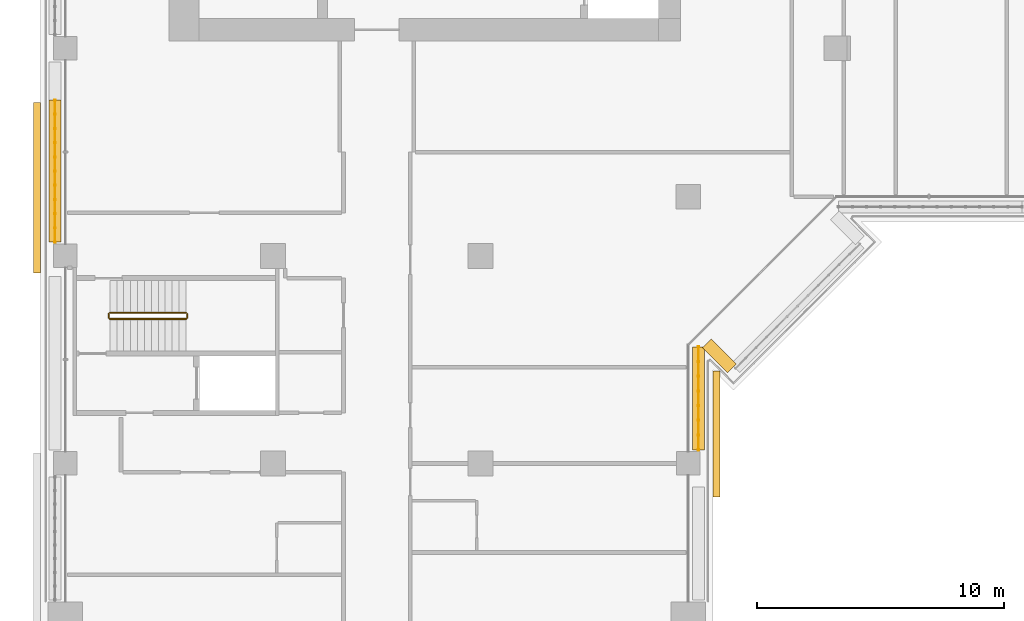
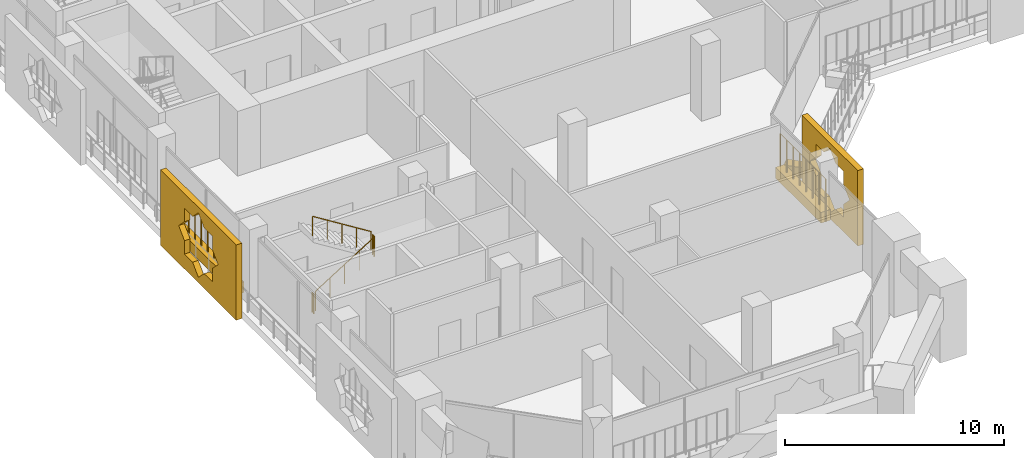
# One storey, part 17 of 23: 6 railings, 5 coverings.
"""IFC4 building model written with IfcOpenShell, lengths in metres."""

from ifc_helpers import new_model, si_unit, direction, frame, origin, origin_2d, place, context, subcontext, project, spatial, polyline, rectangle, circle, outline, extrude, material, material_profile, profile_set, type_object, element, save


model = new_model("IFC4")

# Units and contexts
model_context = context("Model", 3, precision=1e-05, world=origin(), true_north=direction((0.0, 1.0)))
body_context = subcontext(model_context, "Body", "Model", "MODEL_VIEW")
ifc_project = project(units=[si_unit("LENGTHUNIT", "METRE"), si_unit("AREAUNIT", "SQUARE_METRE"), si_unit("VOLUMEUNIT", "CUBIC_METRE"), si_unit("PLANEANGLEUNIT", "RADIAN"), si_unit("MASSUNIT", "GRAM", prefix="KILO")], contexts=[model_context])

# Site, building, storey
site_placement = place(None, origin())
site = spatial("IfcSite", under=ifc_project, at=site_placement, CompositionType="ELEMENT")
building_placement = place(site_placement, origin())
building = spatial("IfcBuilding", under=site, at=building_placement, Name="Kawkab Arch Medical Tower", CompositionType="ELEMENT")
storey_placement = place(building_placement, frame((0.0, 0.0, 175.199951171875)))
storey = spatial("IfcBuildingStorey", under=building, at=storey_placement, Name="L40", CompositionType="ELEMENT", Elevation=175.199951171875)

# Coverings
ifc_material_1 = material(Name="Bronze anodised aluminium mashrabiya panel, eight-point star pattern", Category="aluminium")
ifc_material_profile_1 = material_profile(ifc_material_1, outline(polyline([(-2.550048828125, -2.10009765625), (2.550048828125, -2.10009765625), (2.550048828125, 2.10009765625), (-2.550048828125, 2.10009765625), (-2.550048828125, -2.10009765625)]), holes=[polyline([(1.800048828125, 0.0), (1.272705078125, 0.527099609375), (1.272705078125, 1.272705078125), (0.527099609375, 1.272705078125), (0.0, 1.800048828125), (-0.527099609375, 1.272705078125), (-1.272705078125, 1.272705078125), (-1.272705078125, 0.527099609375), (-1.800048828125, 0.0), (-1.272705078125, -0.527099609375), (-1.272705078125, -1.272705078125), (-0.527099609375, -1.272705078125), (0.0, -1.800048828125), (0.527099609375, -1.272705078125), (1.272705078125, -1.272705078125), (1.272705078125, -0.527099609375), (1.800048828125, 0.0)])]), Name="Mashrabiya panel 5100x4200")
ifc_profile_set_1 = profile_set([ifc_material_profile_1], Name="Bronze anodised aluminium mashrabiya panel, eight-point star pattern")
covering_type_1 = type_object("IfcCoveringType", Name="Mashrabiya panel 5100 x 4200", PredefinedType="USERDEFINED", material=ifc_profile_set_1)
covering_1_placement = place(storey_placement, frame((26.199951171875, -40.807373046875, 1.699951171875), z_axis=(1.0, 0.0, 0.0), x_axis=(0.0, 1.0, 0.0)))
element("IfcCovering", 1, at=covering_1_placement, inside=storey, type_object=covering_type_1, Name="Mashrabiya panel L40.LOG-01-01.12", ObjectType="SCREEN", PredefinedType="USERDEFINED", context=body_context, shape_type="SweptSolid", body=[
    extrude(outline(polyline([(-2.550048828125, -2.10009765625), (2.550048828125, -2.10009765625), (2.550048828125, 2.10009765625), (-2.550048828125, 2.10009765625), (-2.550048828125, -2.10009765625)]), holes=[polyline([(1.800048828125, 0.0), (1.272705078125, 0.527099609375), (1.272705078125, 1.272705078125), (0.527099609375, 1.272705078125), (0.0, 1.800048828125), (-0.527099609375, 1.272705078125), (-1.272705078125, 1.272705078125), (-1.272705078125, 0.527099609375), (-1.800048828125, 0.0), (-1.272705078125, -0.527099609375), (-1.272705078125, -1.272705078125), (-0.527099609375, -1.272705078125), (0.0, -1.800048828125), (0.527099609375, -1.272705078125), (1.272705078125, -1.272705078125), (1.272705078125, -0.527099609375), (1.800048828125, 0.0)])]), origin(), (0.0, 0.0, 1.0), 0.300048828125),
])
ifc_material_2 = material(Name="Bronze anodised aluminium mashrabiya panel, eight-point star pattern", Category="aluminium")
ifc_material_profile_2 = material_profile(ifc_material_2, outline(polyline([(-3.449951171875, -2.10009765625), (3.449951171875, -2.10009765625), (3.449951171875, 2.10009765625), (-3.449951171875, 2.10009765625), (-3.449951171875, -2.10009765625)]), holes=[polyline([(1.800048828125, 0.0), (1.272705078125, 0.527099609375), (1.272705078125, 1.272705078125), (0.527099609375, 1.272705078125), (0.0, 1.800048828125), (-0.527099609375, 1.272705078125), (-1.272705078125, 1.272705078125), (-1.272705078125, 0.527099609375), (-1.800048828125, 0.0), (-1.272705078125, -0.527099609375), (-1.272705078125, -1.272705078125), (-0.527099609375, -1.272705078125), (0.0, -1.800048828125), (0.527099609375, -1.272705078125), (1.272705078125, -1.272705078125), (1.272705078125, -0.527099609375), (1.800048828125, 0.0)])]), Name="Mashrabiya panel 6900x4200")
ifc_profile_set_2 = profile_set([ifc_material_profile_2], Name="Bronze anodised aluminium mashrabiya panel, eight-point star pattern")
covering_type_2 = type_object("IfcCoveringType", Name="Mashrabiya panel 6900 x 4200", PredefinedType="USERDEFINED", material=ifc_profile_set_2)
covering_2_placement = place(storey_placement, frame((-1.0, -30.850341796875, 1.699951171875), z_axis=(-1.0, 0.0, 0.0), x_axis=(0.0, -1.0, 0.0)))
element("IfcCovering", 2, at=covering_2_placement, inside=storey, type_object=covering_type_2, Name="Mashrabiya panel L40.LOG-01-01.3", ObjectType="SCREEN", PredefinedType="USERDEFINED", context=body_context, shape_type="SweptSolid", body=[
    extrude(outline(polyline([(-3.449951171875, -2.10009765625), (3.449951171875, -2.10009765625), (3.449951171875, 2.10009765625), (-3.449951171875, 2.10009765625), (-3.449951171875, -2.10009765625)]), holes=[polyline([(1.800048828125, 0.0), (1.272705078125, 0.527099609375), (1.272705078125, 1.272705078125), (0.527099609375, 1.272705078125), (0.0, 1.800048828125), (-0.527099609375, 1.272705078125), (-1.272705078125, 1.272705078125), (-1.272705078125, 0.527099609375), (-1.800048828125, 0.0), (-1.272705078125, -0.527099609375), (-1.272705078125, -1.272705078125), (-0.527099609375, -1.272705078125), (0.0, -1.800048828125), (0.527099609375, -1.272705078125), (1.272705078125, -1.272705078125), (1.272705078125, -0.527099609375), (1.800048828125, 0.0)])]), origin(), (0.0, 0.0, 1.0), 0.300048828125),
])
ifc_material_3 = material(Name="Planting soil in a precast trough", Category="concrete")
ifc_material_profile_3 = material_profile(ifc_material_3, rectangle(XDim=0.5, YDim=0.60009765625, at=origin_2d()), Name="Trough 500x600")
ifc_profile_set_3 = profile_set([ifc_material_profile_3], Name="Planting soil in a precast trough")
covering_type_3 = type_object("IfcCoveringType", Name="Planter trough 500 x 600", PredefinedType="USERDEFINED", material=ifc_profile_set_3)
covering_3_placement = place(storey_placement, frame((-0.419921875, -33.044921875, 0.300048828125), z_axis=(0.0, 1.0, 0.0), x_axis=(-1.0, 0.0, 0.0)))
element("IfcCovering", 3, at=covering_3_placement, inside=storey, type_object=covering_type_3, Name="Planter L40.LOG-01-01.9", ObjectType="PLANTER", PredefinedType="USERDEFINED", context=body_context, shape_type="SweptSolid", body=[
    extrude(rectangle(XDim=0.5, YDim=0.60009765625, at=origin_2d()), origin(), (0.0, 0.0, 1.0), 5.744873046875),
])
covering_4_placement = place(storey_placement, frame((26.967041015625, -38.14697265625, 0.300048828125), z_axis=(-0.707192746389, 0.707020805532, 0.0), x_axis=(-0.707020805532, -0.707192746389, 0.0)))
element("IfcCovering", 4, at=covering_4_placement, inside=storey, type_object=covering_type_3, Name="Planter L40.LOG-01-01.40", ObjectType="PLANTER", PredefinedType="USERDEFINED", context=body_context, shape_type="SweptSolid", body=[
    extrude(rectangle(XDim=0.5, YDim=0.60009765625, at=origin_2d()), origin(), (0.0, 0.0, 1.0), 1.419921875),
])
covering_5_placement = place(storey_placement, frame((25.6201171875, -37.284912109375, 0.300048828125), z_axis=(0.0, -1.0, 0.0), x_axis=(1.0, 0.0, 0.0)))
element("IfcCovering", 5, at=covering_5_placement, inside=storey, type_object=covering_type_3, Name="Planter L40.LOG-01-01.41", ObjectType="PLANTER", PredefinedType="USERDEFINED", context=body_context, shape_type="SweptSolid", body=[
    extrude(rectangle(XDim=0.5, YDim=0.60009765625, at=origin_2d()), origin(), (0.0, 0.0, 1.0), 4.16015625),
])

# Railings
ifc_material_4 = material(Name="Bronze anodised aluminium trellis for climbing plants", Category="aluminium")
railing_type_1 = type_object("IfcRailingType", Name="Planting trellis 2400", PredefinedType="USERDEFINED", material=ifc_material_4)
railing_1_placement = place(storey_placement, frame((-0.419921875, -33.044921875, 0.0)))
element("IfcRailing", 6, at=railing_1_placement, inside=storey, type_object=railing_type_1, Name="Planting trellis L40.LOG-01-01.9", ObjectType="TRELLIS", PredefinedType="USERDEFINED", context=body_context, shape_type="SweptSolid", body=[
    extrude(circle(Radius=0.01513671875, at=origin_2d()), frame((0.0, 0.0, 2.384765625), z_axis=(0.0, 1.0, 0.0), x_axis=(-1.0, 0.0, 0.0)), (0.0, 0.0, 1.0), 5.744873046875),
    extrude(circle(Radius=0.030029296875, at=origin_2d()), origin(), (0.0, 0.0, 1.0), 2.369873046875),
    extrude(circle(Radius=0.030029296875, at=origin_2d()), frame((0.0, 0.574462890625, 0.0)), (0.0, 0.0, 1.0), 2.369873046875),
    extrude(circle(Radius=0.030029296875, at=origin_2d()), frame((0.0, 1.14892578125, 0.0)), (0.0, 0.0, 1.0), 2.369873046875),
    extrude(circle(Radius=0.030029296875, at=origin_2d()), frame((0.0, 1.723388671875, 0.0)), (0.0, 0.0, 1.0), 2.369873046875),
    extrude(circle(Radius=0.030029296875, at=origin_2d()), frame((0.0, 2.2978515625, 0.0)), (0.0, 0.0, 1.0), 2.369873046875),
    extrude(circle(Radius=0.030029296875, at=origin_2d()), frame((0.0, 2.87255859375, 0.0)), (0.0, 0.0, 1.0), 2.369873046875),
    extrude(circle(Radius=0.030029296875, at=origin_2d()), frame((0.0, 3.447021484375, 0.0)), (0.0, 0.0, 1.0), 2.369873046875),
    extrude(circle(Radius=0.030029296875, at=origin_2d()), frame((0.0, 4.021484375, 0.0)), (0.0, 0.0, 1.0), 2.369873046875),
    extrude(circle(Radius=0.030029296875, at=origin_2d()), frame((0.0, 4.595947265625, 0.0)), (0.0, 0.0, 1.0), 2.369873046875),
    extrude(circle(Radius=0.030029296875, at=origin_2d()), frame((0.0, 5.17041015625, 0.0)), (0.0, 0.0, 1.0), 2.369873046875),
    extrude(circle(Radius=0.030029296875, at=origin_2d()), frame((0.0, 5.744873046875, 0.0)), (0.0, 0.0, 1.0), 2.369873046875),
])
railing_2_placement = place(storey_placement, frame((25.6201171875, -37.284912109375, 0.0)))
element("IfcRailing", 7, at=railing_2_placement, inside=storey, type_object=railing_type_1, Name="Planting trellis L40.LOG-01-01.41", ObjectType="TRELLIS", PredefinedType="USERDEFINED", context=body_context, shape_type="SweptSolid", body=[
    extrude(circle(Radius=0.01513671875, at=origin_2d()), frame((0.0, 0.0, 2.384765625), z_axis=(0.0, -1.0, 0.0), x_axis=(1.0, 0.0, 0.0)), (0.0, 0.0, 1.0), 4.16015625),
    extrude(circle(Radius=0.030029296875, at=origin_2d()), origin(), (0.0, 0.0, 1.0), 2.369873046875),
    extrude(circle(Radius=0.030029296875, at=origin_2d()), frame((0.0, -0.59423828125, 0.0)), (0.0, 0.0, 1.0), 2.369873046875),
    extrude(circle(Radius=0.030029296875, at=origin_2d()), frame((0.0, -1.188720703125, 0.0)), (0.0, 0.0, 1.0), 2.369873046875),
    extrude(circle(Radius=0.030029296875, at=origin_2d()), frame((0.0, -1.782958984375, 0.0)), (0.0, 0.0, 1.0), 2.369873046875),
    extrude(circle(Radius=0.030029296875, at=origin_2d()), frame((0.0, -2.377197265625, 0.0)), (0.0, 0.0, 1.0), 2.369873046875),
    extrude(circle(Radius=0.030029296875, at=origin_2d()), frame((0.0, -2.971435546875, 0.0)), (0.0, 0.0, 1.0), 2.369873046875),
    extrude(circle(Radius=0.030029296875, at=origin_2d()), frame((0.0, -3.56591796875, 0.0)), (0.0, 0.0, 1.0), 2.369873046875),
    extrude(circle(Radius=0.030029296875, at=origin_2d()), frame((0.0, -4.16015625, 0.0)), (0.0, 0.0, 1.0), 2.369873046875),
])
ifc_material_5 = material(Name="Stainless steel", Category="steel")
railing_type_2 = type_object("IfcRailingType", Name="Stair guard 1100", PredefinedType="GUARDRAIL", material=ifc_material_5)
railing_3_placement = place(storey_placement, frame((1.800048828125, -36.14990234375, 0.175048828125)))
element("IfcRailing", 8, at=railing_3_placement, inside=storey, type_object=railing_type_2, Name="L40 ST6 stair guard 1", PredefinedType="GUARDRAIL", context=body_context, shape_type="SweptSolid", body=[
    extrude(circle(Radius=0.02392578125, at=origin_2d()), frame((0.0, 0.0, 1.076171875), z_axis=(0.847979421464, 0.0, 0.530029150871), x_axis=(0.0, 1.0, 0.0)), (0.0, 0.0, 1.0), 3.632080078125),
    extrude(circle(Radius=0.02099609375, at=origin_2d()), origin(), (0.0, 0.0, 1.0), 1.052001953125),
    extrude(circle(Radius=0.02099609375, at=origin_2d()), frame((0.77001953125, 0.0, 0.481201171875)), (0.0, 0.0, 1.0), 1.052001953125),
    extrude(circle(Radius=0.02099609375, at=origin_2d()), frame((1.5400390625, 0.0, 0.96240234375)), (0.0, 0.0, 1.0), 1.052001953125),
    extrude(circle(Radius=0.02099609375, at=origin_2d()), frame((2.309814453125, 0.0, 1.44384765625)), (0.0, 0.0, 1.0), 1.052001953125),
    extrude(circle(Radius=0.02099609375, at=origin_2d()), frame((3.079833984375, 0.0, 1.925048828125)), (0.0, 0.0, 1.0), 1.052001953125),
])
railing_4_placement = place(storey_placement, frame((4.929931640625, -36.10009765625, 2.10009765625)))
element("IfcRailing", 9, at=railing_4_placement, inside=storey, type_object=railing_type_2, Name="L40 ST6 stair guard 2", PredefinedType="GUARDRAIL", context=body_context, shape_type="SweptSolid", body=[
    extrude(circle(Radius=0.02392578125, at=origin_2d()), frame((0.0, 0.0, 1.076171875), z_axis=(0.0, 1.0, 0.0), x_axis=(-1.0, 0.0, 0.0)), (0.0, 0.0, 1.0), 0.150146484375),
    extrude(circle(Radius=0.02099609375, at=origin_2d()), origin(), (0.0, 0.0, 1.0), 1.052001953125),
    extrude(circle(Radius=0.02099609375, at=origin_2d()), frame((0.0, 0.150146484375, 0.0)), (0.0, 0.0, 1.0), 1.052001953125),
])
railing_5_placement = place(storey_placement, frame((4.8798828125, -35.89990234375, 2.275146484375)))
element("IfcRailing", 10, at=railing_5_placement, inside=storey, type_object=railing_type_2, Name="L40 ST6 stair guard 3", PredefinedType="GUARDRAIL", context=body_context, shape_type="SweptSolid", body=[
    extrude(circle(Radius=0.02392578125, at=origin_2d()), frame((0.0, 0.0, 1.076171875), z_axis=(-0.848009633417, 0.0, 0.529980812513), x_axis=(0.0, -1.0, 0.0)), (0.0, 0.0, 1.0), 3.6318359375),
    extrude(circle(Radius=0.02099609375, at=origin_2d()), origin(), (0.0, 0.0, 1.0), 1.052001953125),
    extrude(circle(Radius=0.02099609375, at=origin_2d()), frame((-0.77001953125, 0.0, 0.481201171875)), (0.0, 0.0, 1.0), 1.052001953125),
    extrude(circle(Radius=0.02099609375, at=origin_2d()), frame((-1.5400390625, 0.0, 0.96240234375)), (0.0, 0.0, 1.0), 1.052001953125),
    extrude(circle(Radius=0.02099609375, at=origin_2d()), frame((-2.309814453125, 0.0, 1.443603515625)), (0.0, 0.0, 1.0), 1.052001953125),
    extrude(circle(Radius=0.02099609375, at=origin_2d()), frame((-3.079833984375, 0.0, 1.9248046875)), (0.0, 0.0, 1.0), 1.052001953125),
])
railing_6_placement = place(storey_placement, frame((1.75, -36.10009765625, 0.0)))
element("IfcRailing", 11, at=railing_6_placement, inside=storey, type_object=railing_type_2, Name="L40 ST6 stair guard 4", PredefinedType="GUARDRAIL", context=body_context, shape_type="SweptSolid", body=[
    extrude(circle(Radius=0.02392578125, at=origin_2d()), frame((0.0, 0.0, 1.076171875), z_axis=(0.0, 1.0, 0.0), x_axis=(-1.0, 0.0, 0.0)), (0.0, 0.0, 1.0), 0.150146484375),
    extrude(circle(Radius=0.02099609375, at=origin_2d()), origin(), (0.0, 0.0, 1.0), 1.052001953125),
    extrude(circle(Radius=0.02099609375, at=origin_2d()), frame((0.0, 0.150146484375, 0.0)), (0.0, 0.0, 1.0), 1.052001953125),
])

save(model, "model.ifc")
